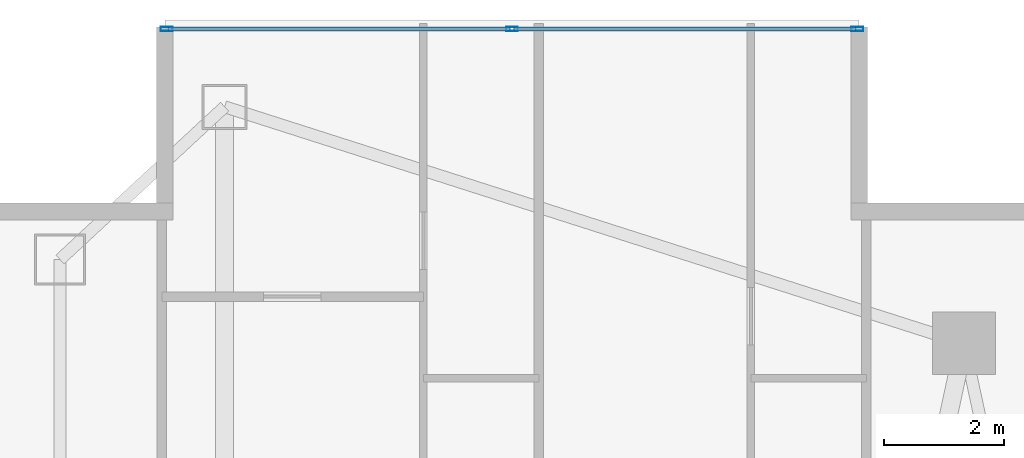
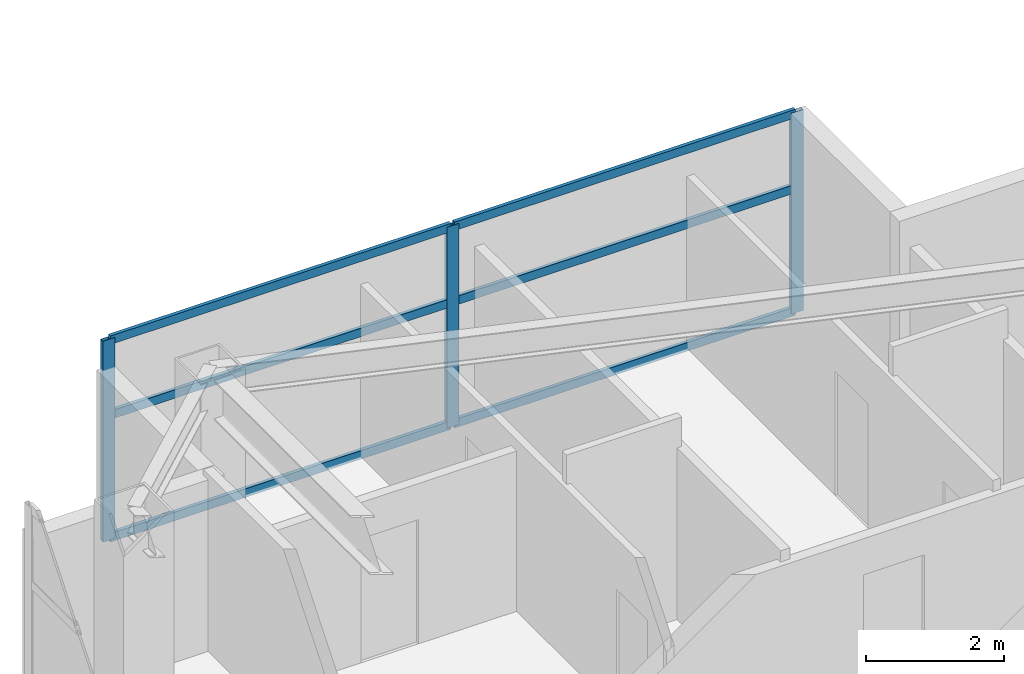
# One storey, part 19 of 29: 9 members, 1 element without a shape of its own.
"""IFC4 building model written with IfcOpenShell, lengths in metres."""

from ifc_helpers import new_model, si_unit, direction, frame, origin, origin_2d, place, context, subcontext, project, spatial, hollow_rectangle, extrude, material, layer, layer_set, material_profile, profile_set, type_object, element, aggregate, save


model = new_model("IFC4")

# Units and contexts
model_context = context("Model", 3, precision=1e-05, world=origin(), true_north=direction((0.0, 1.0)))
body_context = subcontext(model_context, "Body", "Model", "MODEL_VIEW")
ifc_project = project(units=[si_unit("LENGTHUNIT", "METRE"), si_unit("AREAUNIT", "SQUARE_METRE"), si_unit("VOLUMEUNIT", "CUBIC_METRE"), si_unit("PLANEANGLEUNIT", "RADIAN"), si_unit("MASSUNIT", "GRAM", prefix="KILO")], contexts=[model_context])

# Site, building, storey
site_placement = place(None, origin())
site = spatial("IfcSite", under=ifc_project, at=site_placement, CompositionType="ELEMENT")
building_placement = place(site_placement, origin())
building = spatial("IfcBuilding", under=site, at=building_placement, Name="Calvorn Quay Hotel", CompositionType="ELEMENT")
storey_placement = place(building_placement, frame((0.0, 0.0, 120.199951171875)))
storey = spatial("IfcBuildingStorey", under=building, at=storey_placement, Name="L29", CompositionType="ELEMENT", Elevation=120.199951171875)

# Curtain wall, members
ifc_material_1 = material(Name="Pale Anodised Aluminium and Low-E Glass", Category="aluminium")
ifc_layer = layer(ifc_material_1, 0.219970703125)
ifc_layer_set = layer_set([ifc_layer], Name="CW-SYS-Z2")
curtain_wall_type = type_object("IfcCurtainWallType", Name="CW-SYS-Z2", PredefinedType="NOTDEFINED", material=ifc_layer_set)
curtain_wall_placement = place(storey_placement, origin())
curtain_wall = element("IfcCurtainWall", 1, at=curtain_wall_placement, inside=storey, type_object=curtain_wall_type, Name="Inner Court Curtain Wall L29-N1", PredefinedType="NOTDEFINED")
ifc_material_2 = material(Name="Pale Anodised Aluminium 6063-T6", Category="aluminium")
ifc_material_profile_1 = material_profile(ifc_material_2, hollow_rectangle(XDim=0.070068359375, YDim=0.199951171875, WallThickness=0.00390625, at=origin_2d()), Name="ALU-M200x70x4")
ifc_profile_set_1 = profile_set([ifc_material_profile_1], Name="Pale Anodised Aluminium 6063-T6")
member_type_1 = type_object("IfcMemberType", Name="CW-SYS-Z2-MUL", PredefinedType="MULLION", material=ifc_profile_set_1)
member_1_placement = place(storey_placement, frame((14.77001953125, 50.85009765625, 0.0), z_axis=(0.0, 0.0, 1.0), x_axis=(0.0, -1.0, 0.0)))
member_1 = element("IfcMember", 2, at=member_1_placement, type_object=member_type_1, Name="CW-L29-N1 mullion 1", PredefinedType="MULLION", context=body_context, shape_type="SweptSolid", body=[
    extrude(hollow_rectangle(XDim=0.070068359375, YDim=0.199951171875, WallThickness=0.00390625, at=origin_2d()), origin(), (0.0, 0.0, 1.0), 3.56005859375),
])
member_2_placement = place(storey_placement, frame((9.0, 50.85009765625, 0.0), z_axis=(0.0, 0.0, 1.0), x_axis=(0.0, -1.0, 0.0)))
member_2 = element("IfcMember", 3, at=member_2_placement, type_object=member_type_1, Name="CW-L29-N1 mullion 2", PredefinedType="MULLION", context=body_context, shape_type="SweptSolid", body=[
    extrude(hollow_rectangle(XDim=0.070068359375, YDim=0.199951171875, WallThickness=0.00390625, at=origin_2d()), origin(), (0.0, 0.0, 1.0), 3.56005859375),
])
member_3_placement = place(storey_placement, frame((3.22998046875, 50.85009765625, 0.0), z_axis=(0.0, 0.0, 1.0), x_axis=(0.0, -1.0, 0.0)))
member_3 = element("IfcMember", 4, at=member_3_placement, type_object=member_type_1, Name="CW-L29-N1 mullion 3", PredefinedType="MULLION", context=body_context, shape_type="SweptSolid", body=[
    extrude(hollow_rectangle(XDim=0.070068359375, YDim=0.199951171875, WallThickness=0.00390625, at=origin_2d()), origin(), (0.0, 0.0, 1.0), 3.56005859375),
])
ifc_material_3 = material(Name="Pale Anodised Aluminium 6063-T6", Category="aluminium")
ifc_material_profile_2 = material_profile(ifc_material_3, hollow_rectangle(XDim=0.06005859375, YDim=0.14990234375, WallThickness=0.00341796875, at=origin_2d()), Name="ALU-T150x60x3.5")
ifc_profile_set_2 = profile_set([ifc_material_profile_2], Name="Pale Anodised Aluminium 6063-T6")
member_type_2 = type_object("IfcMemberType", Name="CW-SYS-Z2-TRN", PredefinedType="USERDEFINED", material=ifc_profile_set_2)
member_4_placement = place(storey_placement, frame((14.739990234375, 50.85009765625, 0.030029296875), z_axis=(-1.0, 0.0, 0.0), x_axis=(0.0, -1.0, 0.0)))
member_4 = element("IfcMember", 5, at=member_4_placement, type_object=member_type_2, Name="CW-L29-N1 transom 1.1", ObjectType="TRANSOM", PredefinedType="USERDEFINED", context=body_context, shape_type="SweptSolid", body=[
    extrude(hollow_rectangle(XDim=0.06005859375, YDim=0.14990234375, WallThickness=0.00341796875, at=origin_2d()), origin(), (0.0, 0.0, 1.0), 5.7099609375),
])
member_5_placement = place(storey_placement, frame((14.739990234375, 50.85009765625, 2.199951171875), z_axis=(-1.0, 0.0, 0.0), x_axis=(0.0, -1.0, 0.0)))
member_5 = element("IfcMember", 6, at=member_5_placement, type_object=member_type_2, Name="CW-L29-N1 transom 1.2", ObjectType="TRANSOM", PredefinedType="USERDEFINED", context=body_context, shape_type="SweptSolid", body=[
    extrude(hollow_rectangle(XDim=0.06005859375, YDim=0.14990234375, WallThickness=0.00341796875, at=origin_2d()), origin(), (0.0, 0.0, 1.0), 5.7099609375),
])
member_6_placement = place(storey_placement, frame((14.739990234375, 50.85009765625, 3.530029296875), z_axis=(-1.0, 0.0, 0.0), x_axis=(0.0, -1.0, 0.0)))
member_6 = element("IfcMember", 7, at=member_6_placement, type_object=member_type_2, Name="CW-L29-N1 transom 1.3", ObjectType="TRANSOM", PredefinedType="USERDEFINED", context=body_context, shape_type="SweptSolid", body=[
    extrude(hollow_rectangle(XDim=0.06005859375, YDim=0.14990234375, WallThickness=0.00341796875, at=origin_2d()), origin(), (0.0, 0.0, 1.0), 5.7099609375),
])
member_7_placement = place(storey_placement, frame((8.969970703125, 50.85009765625, 0.030029296875), z_axis=(-1.0, 0.0, 0.0), x_axis=(0.0, -1.0, 0.0)))
member_7 = element("IfcMember", 8, at=member_7_placement, type_object=member_type_2, Name="CW-L29-N1 transom 2.1", ObjectType="TRANSOM", PredefinedType="USERDEFINED", context=body_context, shape_type="SweptSolid", body=[
    extrude(hollow_rectangle(XDim=0.06005859375, YDim=0.14990234375, WallThickness=0.00341796875, at=origin_2d()), origin(), (0.0, 0.0, 1.0), 5.7099609375),
])
member_8_placement = place(storey_placement, frame((8.969970703125, 50.85009765625, 2.199951171875), z_axis=(-1.0, 0.0, 0.0), x_axis=(0.0, -1.0, 0.0)))
member_8 = element("IfcMember", 9, at=member_8_placement, type_object=member_type_2, Name="CW-L29-N1 transom 2.2", ObjectType="TRANSOM", PredefinedType="USERDEFINED", context=body_context, shape_type="SweptSolid", body=[
    extrude(hollow_rectangle(XDim=0.06005859375, YDim=0.14990234375, WallThickness=0.00341796875, at=origin_2d()), origin(), (0.0, 0.0, 1.0), 5.7099609375),
])
member_9_placement = place(storey_placement, frame((8.969970703125, 50.85009765625, 3.530029296875), z_axis=(-1.0, 0.0, 0.0), x_axis=(0.0, -1.0, 0.0)))
member_9 = element("IfcMember", 10, at=member_9_placement, type_object=member_type_2, Name="CW-L29-N1 transom 2.3", ObjectType="TRANSOM", PredefinedType="USERDEFINED", context=body_context, shape_type="SweptSolid", body=[
    extrude(hollow_rectangle(XDim=0.06005859375, YDim=0.14990234375, WallThickness=0.00341796875, at=origin_2d()), origin(), (0.0, 0.0, 1.0), 5.7099609375),
])
aggregate(curtain_wall, [member_1, member_2, member_3, member_4, member_5, member_6, member_7, member_8, member_9])

save(model, "model.ifc")
